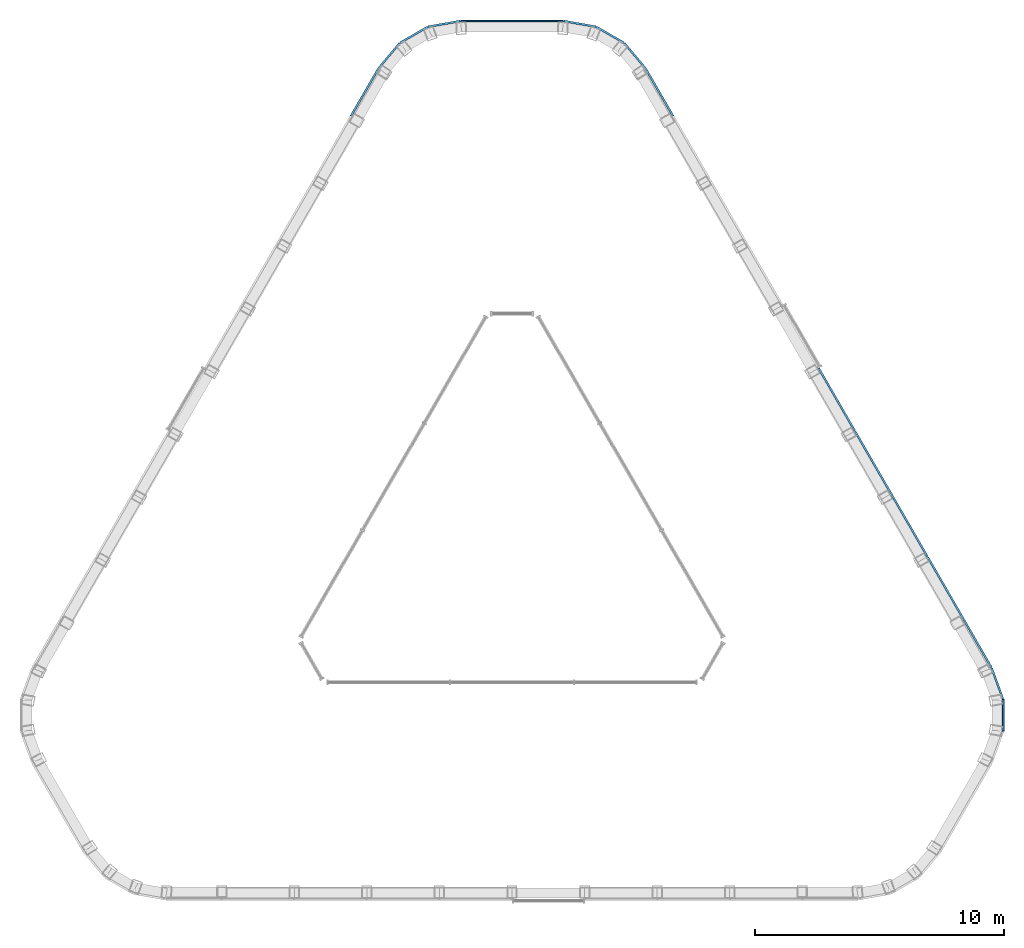
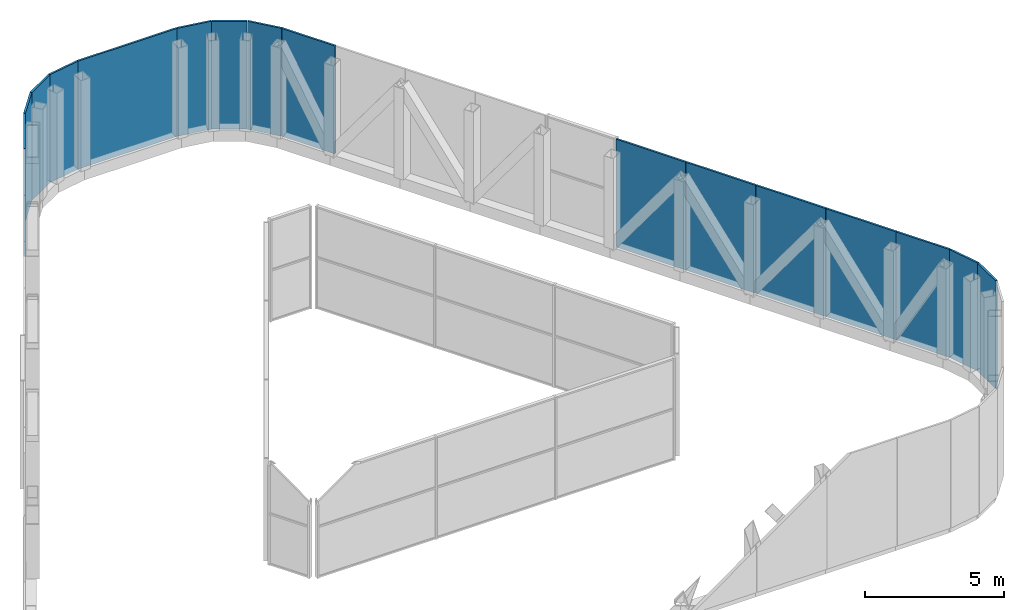
# One storey, part 5 of 5: 16 plates.
"""IFC4 building model written with IfcOpenShell, lengths in metres."""

from ifc_helpers import new_model, si_unit, direction, frame, origin, origin_2d, place, context, subcontext, project, spatial, rectangle, extrude, material, layer, layer_set, type_object, element, save


model = new_model("IFC4")

# Units and contexts
model_context = context("Model", 3, precision=1e-05, world=origin(), true_north=direction((0.0, 1.0)))
body_context = subcontext(model_context, "Body", "Model", "MODEL_VIEW")
ifc_project = project(units=[si_unit("LENGTHUNIT", "METRE"), si_unit("AREAUNIT", "SQUARE_METRE"), si_unit("VOLUMEUNIT", "CUBIC_METRE"), si_unit("PLANEANGLEUNIT", "RADIAN"), si_unit("MASSUNIT", "GRAM", prefix="KILO")], contexts=[model_context])

# Site, building, storey
site_placement = place(None, origin())
site = spatial("IfcSite", under=ifc_project, at=site_placement, CompositionType="ELEMENT")
building_placement = place(site_placement, origin())
building = spatial("IfcBuilding", under=site, at=building_placement, Name="Apuvela Tower Hotel", CompositionType="ELEMENT")
storey_placement = place(building_placement, frame((0.0, 0.0, 366.800048828125)))
storey = spatial("IfcBuildingStorey", under=building, at=storey_placement, Name="R-6 ROOF", CompositionType="ELEMENT", Elevation=366.800048828125)

# Plates
ifc_material = material(Name="Aluminium 6063-T6, black anodised perforated panel", Category="aluminium")
ifc_layer = layer(ifc_material, 0.080078125)
ifc_layer_set = layer_set([ifc_layer], Name="ENV-CROWN-SCREEN-80")
plate_type = type_object("IfcPlateType", Name="ENV-CROWN-SCREEN-80", PredefinedType="SHEET", material=ifc_layer_set)
plate_1_placement = place(storey_placement, frame((3.942626953125, 20.489013671875, 0.0), z_axis=(0.0, 0.0, 1.0), x_axis=(-0.866025403784, 0.5, 0.0)))
element("IfcPlate", 1, at=plate_1_placement, inside=storey, type_object=plate_type, Name="Crown screen 1", PredefinedType="SHEET", context=body_context, shape_type="SweptSolid", body=[
    extrude(rectangle(XDim=1.2841796875, YDim=0.080078125, at=origin_2d()), origin(), (0.0, 0.0, 1.0), 4.75),
])
plate_2_placement = place(storey_placement, frame((2.72216796875, 20.930908203125, 0.0), z_axis=(0.0, 0.0, 1.0), x_axis=(-0.984807753012, 0.173648177667, 0.0)))
element("IfcPlate", 2, at=plate_2_placement, inside=storey, type_object=plate_type, Name="Crown screen 2", PredefinedType="SHEET", context=body_context, shape_type="SweptSolid", body=[
    extrude(rectangle(XDim=1.311767578125, YDim=0.080078125, at=origin_2d()), origin(), (0.0, 0.0, 1.0), 4.75),
])
plate_3_placement = place(storey_placement, frame((0.0, 21.04638671875, 0.0), z_axis=(0.0, 0.0, 1.0), x_axis=(-1.0, 0.0, 0.0)))
element("IfcPlate", 3, at=plate_3_placement, inside=storey, type_object=plate_type, Name="Crown screen 3", PredefinedType="SHEET", context=body_context, shape_type="SweptSolid", body=[
    extrude(rectangle(XDim=4.11279296875, YDim=0.080078125, at=origin_2d()), origin(), (0.0, 0.0, 1.0), 4.75),
])
plate_4_placement = place(storey_placement, frame((-2.72216796875, 20.930908203125, 0.0), z_axis=(0.0, 0.0, 1.0), x_axis=(-0.984807753012, -0.173648177667, 0.0)))
element("IfcPlate", 4, at=plate_4_placement, inside=storey, type_object=plate_type, Name="Crown screen 4", PredefinedType="SHEET", context=body_context, shape_type="SweptSolid", body=[
    extrude(rectangle(XDim=1.311767578125, YDim=0.080078125, at=origin_2d()), origin(), (0.0, 0.0, 1.0), 4.75),
])
plate_5_placement = place(storey_placement, frame((-3.942626953125, 20.489013671875, 0.0), z_axis=(0.0, 0.0, 1.0), x_axis=(-0.866025403784, -0.5, 0.0)))
element("IfcPlate", 5, at=plate_5_placement, inside=storey, type_object=plate_type, Name="Crown screen 5", PredefinedType="SHEET", context=body_context, shape_type="SweptSolid", body=[
    extrude(rectangle(XDim=1.2841796875, YDim=0.080078125, at=origin_2d()), origin(), (0.0, 0.0, 1.0), 4.75),
])
plate_6_placement = place(storey_placement, frame((-4.935302734375, 19.653076171875, 0.0), z_axis=(0.0, 0.0, 1.0), x_axis=(-0.642787609687, -0.766044443119, 0.0)))
element("IfcPlate", 6, at=plate_6_placement, inside=storey, type_object=plate_type, Name="Crown screen 6", PredefinedType="SHEET", context=body_context, shape_type="SweptSolid", body=[
    extrude(rectangle(XDim=1.311767578125, YDim=0.080078125, at=origin_2d()), origin(), (0.0, 0.0, 1.0), 4.75),
])
plate_7_placement = place(storey_placement, frame((-5.920166015625, 18.178466796875, 0.0), z_axis=(0.0, 0.0, 1.0), x_axis=(-0.5, -0.866025403784, 0.0)))
element("IfcPlate", 7, at=plate_7_placement, inside=storey, type_object=plate_type, Name="Crown screen 7", PredefinedType="SHEET", context=body_context, shape_type="SweptSolid", body=[
    extrude(rectangle(XDim=2.20751953125, YDim=0.080078125, at=origin_2d()), origin(), (0.0, 0.0, 1.0), 4.75),
])
plate_8_placement = place(storey_placement, frame((19.71533203125, -6.830078125, 0.0), z_axis=(0.0, 0.0, 1.0), x_axis=(0.0, 1.0, 0.0)))
element("IfcPlate", 8, at=plate_8_placement, inside=storey, type_object=plate_type, Name="Crown screen 39", PredefinedType="SHEET", context=body_context, shape_type="SweptSolid", body=[
    extrude(rectangle(XDim=1.2841796875, YDim=0.080078125, at=origin_2d()), origin(), (0.0, 0.0, 1.0), 4.75),
])
plate_9_placement = place(storey_placement, frame((19.487548828125, -5.552490234375, 0.0), z_axis=(0.0, 0.0, 1.0), x_axis=(-0.342020143326, 0.939692620786, 0.0)))
element("IfcPlate", 9, at=plate_9_placement, inside=storey, type_object=plate_type, Name="Crown screen 40", PredefinedType="SHEET", context=body_context, shape_type="SweptSolid", body=[
    extrude(rectangle(XDim=1.311767578125, YDim=0.080078125, at=origin_2d()), origin(), (0.0, 0.0, 1.0), 4.75),
])
plate_10_placement = place(storey_placement, frame((18.702880859375, -3.962158203125, 0.0), z_axis=(0.0, 0.0, 1.0), x_axis=(-0.5, 0.866025403784, 0.0)))
element("IfcPlate", 10, at=plate_10_placement, inside=storey, type_object=plate_type, Name="Crown screen 41", PredefinedType="SHEET", context=body_context, shape_type="SweptSolid", body=[
    extrude(rectangle(XDim=2.20751953125, YDim=0.080078125, at=origin_2d()), origin(), (0.0, 0.0, 1.0), 4.75),
])
for number, where, z_axis, x_axis, name in (
    (11, (17.4169921875, -1.734619140625, 0.0), (0.0, 0.0, 1.0), (-0.5, 0.866025403784, 0.0), "Crown screen 42"),
    (12, (15.958251953125, 0.7919921875, 0.0), (0.0, 0.0, 1.0), (-0.5, 0.866025403784, 0.0), "Crown screen 43"),
    (13, (14.49951171875, 3.318359375, 0.0), (0.0, 0.0, 1.0), (-0.5, 0.866025403784, 0.0), "Crown screen 44"),
    (14, (13.041015625, 5.844970703125, 0.0), (0.0, 0.0, 1.0), (-0.5, 0.866025403784, 0.0), "Crown screen 45"),
):
    element("IfcPlate", number, at=place(storey_placement, frame(where, z_axis=z_axis, x_axis=x_axis)), inside=storey, type_object=plate_type, Name=name, PredefinedType="SHEET", context=body_context, shape_type="SweptSolid", body=[
        extrude(rectangle(XDim=2.897216796875, YDim=0.080078125, at=origin_2d()), origin(), (0.0, 0.0, 1.0), 4.75),
    ])
plate_11_placement = place(storey_placement, frame((5.920166015625, 18.178466796875, 0.0), z_axis=(0.0, 0.0, 1.0), x_axis=(-0.5, 0.866025403784, 0.0)))
element("IfcPlate", 15, at=plate_11_placement, inside=storey, type_object=plate_type, Name="Crown screen 50", PredefinedType="SHEET", context=body_context, shape_type="SweptSolid", body=[
    extrude(rectangle(XDim=2.20751953125, YDim=0.080078125, at=origin_2d()), origin(), (0.0, 0.0, 1.0), 4.75),
])
plate_12_placement = place(storey_placement, frame((4.935302734375, 19.653076171875, 0.0), z_axis=(0.0, 0.0, 1.0), x_axis=(-0.642787609687, 0.766044443119, 0.0)))
element("IfcPlate", 16, at=plate_12_placement, inside=storey, type_object=plate_type, Name="Crown screen 51", PredefinedType="SHEET", context=body_context, shape_type="SweptSolid", body=[
    extrude(rectangle(XDim=1.311767578125, YDim=0.080078125, at=origin_2d()), origin(), (0.0, 0.0, 1.0), 4.75),
])

save(model, "model.ifc")
